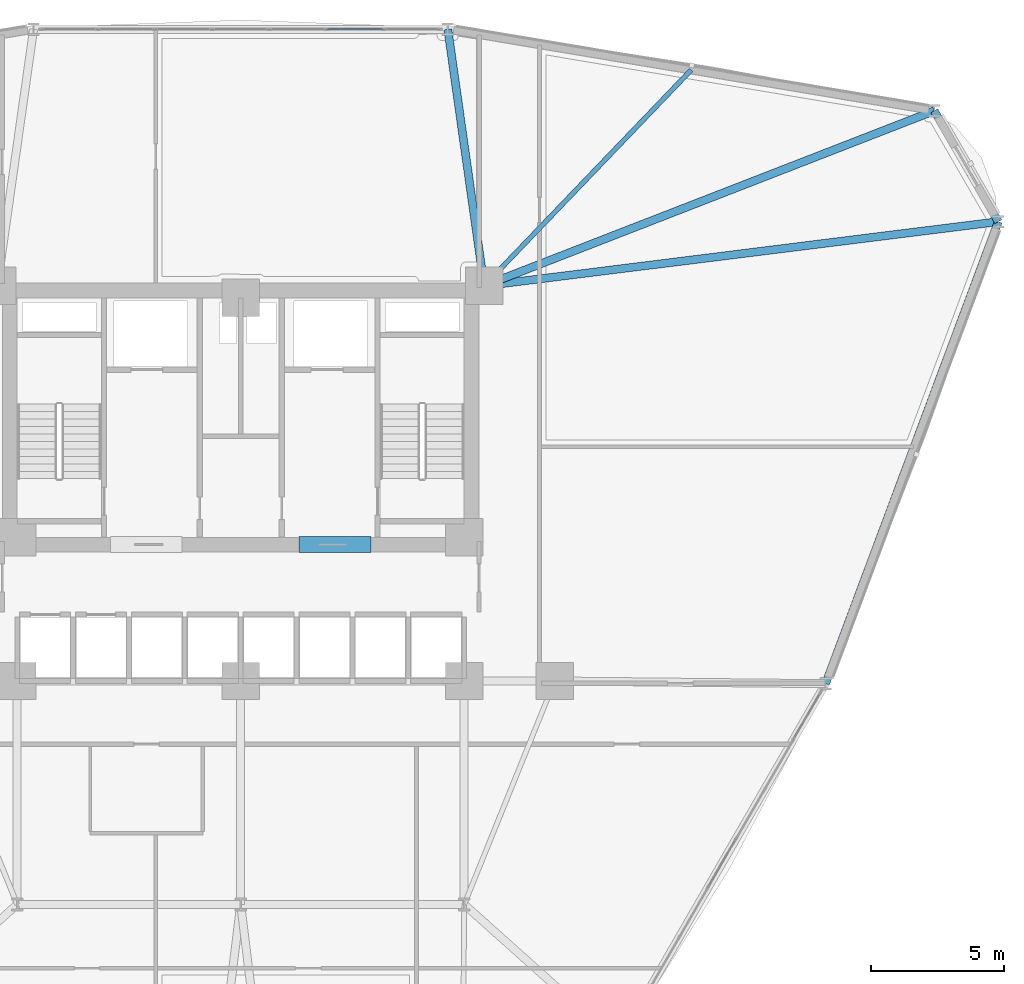
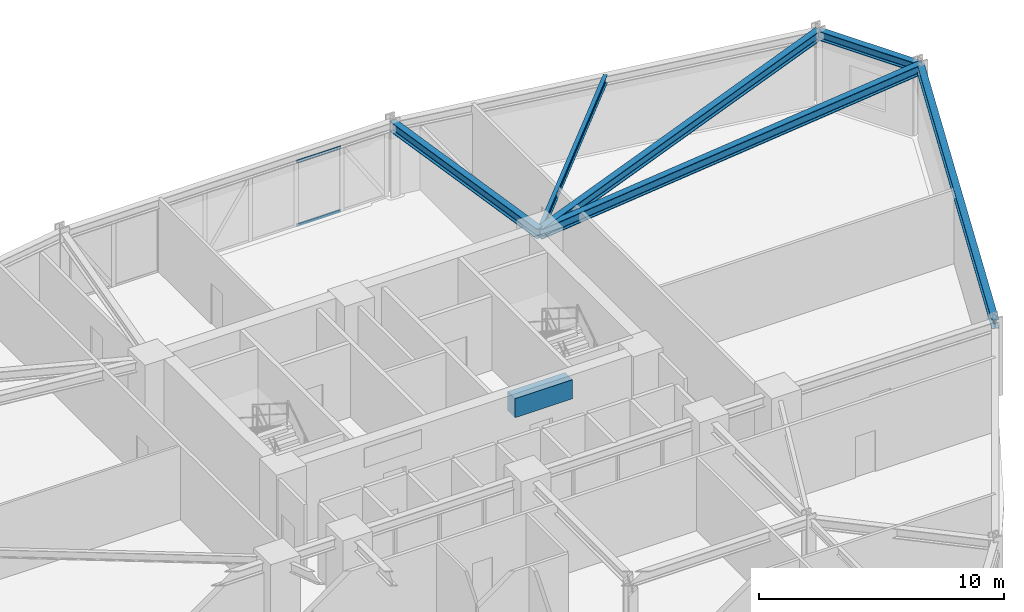
# One storey, part 13 of 22: 7 beams, 2 members, 1 element without a shape of its own.
"""IFC4 building model written with IfcOpenShell, lengths in metres."""

from ifc_helpers import new_model, si_unit, derived_unit, direction, frame, origin, origin_2d, place, context, subcontext, project, spatial, rectangle, hollow_rectangle, i_section, extrude, source, transform, mapped, material, layer, layer_set, material_profile, profile_set, type_object, element, aggregate, save


model = new_model("IFC4")

# Units and contexts
model_context = context("Model", 3, precision=1e-05, world=origin(), true_north=direction((0.0, 1.0)))
body_context = subcontext(model_context, "Body", "Model", "MODEL_VIEW")
ifc_project = project(units=[si_unit("LENGTHUNIT", "METRE"), si_unit("AREAUNIT", "SQUARE_METRE"), si_unit("VOLUMEUNIT", "CUBIC_METRE"), si_unit("PLANEANGLEUNIT", "RADIAN"), si_unit("MASSUNIT", "GRAM", prefix="KILO"), derived_unit("THERMALTRANSMITTANCEUNIT", [(si_unit("POWERUNIT", "WATT"), 1), (si_unit("LENGTHUNIT", "METRE"), -2), (si_unit("THERMODYNAMICTEMPERATUREUNIT", "KELVIN"), -1)])], contexts=[model_context])

# Site, building, storey
site_placement = place(None, origin())
site = spatial("IfcSite", under=ifc_project, at=site_placement, CompositionType="ELEMENT")
building_placement = place(site_placement, origin())
building = spatial("IfcBuilding", under=site, at=building_placement, Name="Korsvarv Bourse and Concert Hall", CompositionType="ELEMENT")
storey_placement = place(building_placement, frame((0.0, 0.0, 47.39990234375)))
storey = spatial("IfcBuildingStorey", under=building, at=storey_placement, Name="L11", CompositionType="ELEMENT", Elevation=47.39990234375)

# Beams
ifc_material_1 = material(Name="Concrete C55/67", Category="concrete")
ifc_material_profile_1 = material_profile(ifc_material_1, rectangle(XDim=0.60009765625, YDim=0.949951171875, at=origin_2d()), Name="RC-BM 600x950")
ifc_profile_set_1 = profile_set([ifc_material_profile_1], Name="Concrete C55/67")
beam_type_1 = type_object("IfcBeamType", Name="BM-CPL", PredefinedType="LINTEL", material=ifc_profile_set_1)
shared_shape_1 = source(origin(), body_context, "Body", "SweptSolid", [
    extrude(rectangle(XDim=0.60009765625, YDim=0.949951171875, at=origin_2d()), origin(), (0.0, 0.0, 1.0), 2.699951171875),
])
beam_1_placement = place(storey_placement, frame((38.199951171875, 37.52490234375, 3.205078125), z_axis=(1.0, 0.0, 0.0), x_axis=(0.0, 1.0, 0.0)))
element("IfcBeam", 1, at=beam_1_placement, inside=storey, type_object=beam_type_1, Name="L11 Core Coupling Beam East", PredefinedType="LINTEL", context=body_context, shape_type="MappedRepresentation", body=[
    mapped(shared_shape_1, transform((0.0, 0.0, 0.0), scale=1.0)),
])
ifc_material_2 = material(Name="Steel S355", Category="steel")
ifc_material_profile_2 = material_profile(ifc_material_2, i_section(OverallWidth=0.300048828125, OverallDepth=0.449951171875, WebThickness=0.013916015625, FlangeThickness=0.02587890625, FilletRadius=0.02099609375, at=origin_2d()), Name="HEB 450")
ifc_profile_set_2 = profile_set([ifc_material_profile_2], Name="Steel S355")
beam_type_2 = type_object("IfcBeamType", Name="BM-HEB450", PredefinedType="SPANDREL", material=ifc_profile_set_2)
shared_shape_2 = source(origin(), body_context, "Body", "SweptSolid", [
    extrude(i_section(OverallWidth=0.300048828125, OverallDepth=0.449951171875, WebThickness=0.013916015625, FlangeThickness=0.02587890625, FilletRadius=0.02099609375, at=origin_2d()), origin(), (0.0, 0.0, 1.0), 4.810791015625),
])
beam_2_placement = place(storey_placement, frame((64.474609375, 49.662353515625, 3.455078125), z_axis=(-0.500019702373, 0.866014028315, 0.0), x_axis=(-0.866014028315, -0.500019702373, 0.0)))
element("IfcBeam", 2, at=beam_2_placement, inside=storey, type_object=beam_type_2, Name="L11 beam B-08", PredefinedType="SPANDREL", context=body_context, shape_type="MappedRepresentation", body=[
    mapped(shared_shape_2, transform((0.0, 0.0, 0.0), scale=1.0)),
])
shared_shape_3 = source(origin(), body_context, "Body", "SweptSolid", [
    extrude(i_section(OverallWidth=0.300048828125, OverallDepth=0.449951171875, WebThickness=0.013916015625, FlangeThickness=0.02587890625, FilletRadius=0.02099609375, at=origin_2d()), origin(), (0.0, 0.0, 1.0), 18.538818359375),
])
beam_3_placement = place(storey_placement, frame((57.983154296875, 32.297119140625, 3.455078125), z_axis=(0.35015342957, 0.936692359188, 0.0), x_axis=(-0.936692359188, 0.35015342957, 0.0)))
element("IfcBeam", 3, at=beam_3_placement, inside=storey, type_object=beam_type_2, Name="L11 beam B-08", PredefinedType="SPANDREL", context=body_context, shape_type="MappedRepresentation", body=[
    mapped(shared_shape_3, transform((0.0, 0.0, 0.0), scale=1.0)),
])
ifc_material_profile_3 = material_profile(ifc_material_2, i_section(OverallWidth=0.300048828125, OverallDepth=0.5, WebThickness=0.014404296875, FlangeThickness=0.028076171875, FilletRadius=0.02392578125, at=origin_2d()), Name="HEB 500")
ifc_profile_set_3 = profile_set([ifc_material_profile_3], Name="Steel S355")
beam_type_3 = type_object("IfcBeamType", Name="BM-HEB500", PredefinedType="BEAM", material=ifc_profile_set_3)
shared_shape_4 = source(origin(), body_context, "Body", "SweptSolid", [
    extrude(i_section(OverallWidth=0.300048828125, OverallDepth=0.5, WebThickness=0.014404296875, FlangeThickness=0.028076171875, FilletRadius=0.02392578125, at=origin_2d()), origin(), (0.0, 0.0, 1.0), 19.474609375),
])
beam_4_placement = place(storey_placement, frame((64.474609375, 49.662353515625, 3.43017578125), z_axis=(-0.992298307048, -0.123871182403, 0.0), x_axis=(0.123871182403, -0.992298307048, 0.0)))
element("IfcBeam", 4, at=beam_4_placement, inside=storey, type_object=beam_type_3, Name="L11 beam B-07", PredefinedType="BEAM", context=body_context, shape_type="MappedRepresentation", body=[
    mapped(shared_shape_4, transform((0.0, 0.0, 0.0), scale=1.0)),
])
shared_shape_5 = source(origin(), body_context, "Body", "SweptSolid", [
    extrude(i_section(OverallWidth=0.300048828125, OverallDepth=0.5, WebThickness=0.014404296875, FlangeThickness=0.028076171875, FilletRadius=0.02392578125, at=origin_2d()), origin(), (0.0, 0.0, 1.0), 18.153076171875),
])
beam_5_placement = place(storey_placement, frame((62.069091796875, 53.82861328125, 3.43017578125), z_axis=(-0.932024609168, -0.362394988797, 0.0), x_axis=(0.362394988797, -0.932024609168, 0.0)))
element("IfcBeam", 5, at=beam_5_placement, inside=storey, type_object=beam_type_3, Name="L11 beam B-07", PredefinedType="BEAM", context=body_context, shape_type="MappedRepresentation", body=[
    mapped(shared_shape_5, transform((0.0, 0.0, 0.0), scale=1.0)),
])
shared_shape_6 = source(origin(), body_context, "Body", "SweptSolid", [
    extrude(i_section(OverallWidth=0.300048828125, OverallDepth=0.5, WebThickness=0.014404296875, FlangeThickness=0.028076171875, FilletRadius=0.02392578125, at=origin_2d()), origin(), (0.0, 0.0, 1.0), 9.735595703125),
])
beam_6_placement = place(storey_placement, frame((43.78466796875, 56.889404296875, 3.43017578125), z_axis=(0.140231095274, -0.990118800911, 0.0), x_axis=(0.990118800911, 0.140231095274, 0.0)))
element("IfcBeam", 6, at=beam_6_placement, inside=storey, type_object=beam_type_3, Name="L11 beam B-07", PredefinedType="BEAM", context=body_context, shape_type="MappedRepresentation", body=[
    mapped(shared_shape_6, transform((0.0, 0.0, 0.0), scale=1.0)),
])
ifc_material_profile_4 = material_profile(ifc_material_2, i_section(OverallWidth=0.179931640625, OverallDepth=0.39990234375, WebThickness=0.008544921875, FlangeThickness=0.013427734375, FilletRadius=0.02099609375, at=origin_2d()), Name="IPE 400")
ifc_profile_set_4 = profile_set([ifc_material_profile_4], Name="Steel S355")
beam_type_4 = type_object("IfcBeamType", Name="BM-IPE400", PredefinedType="JOIST", material=ifc_profile_set_4)
shared_shape_7 = source(origin(), body_context, "Body", "SweptSolid", [
    extrude(i_section(OverallWidth=0.179931640625, OverallDepth=0.39990234375, WebThickness=0.008544921875, FlangeThickness=0.013427734375, FilletRadius=0.02099609375, at=origin_2d()), origin(), (0.0, 0.0, 1.0), 11.235595703125),
])
beam_7_placement = place(storey_placement, frame((52.927001953125, 55.35888671875, 3.47998046875), z_axis=(-0.692187535913, -0.721717683812, 0.0), x_axis=(0.721717683812, -0.692187535913, 0.0)))
element("IfcBeam", 7, at=beam_7_placement, inside=storey, type_object=beam_type_4, Name="L11 beam J-05", PredefinedType="JOIST", context=body_context, shape_type="MappedRepresentation", body=[
    mapped(shared_shape_7, transform((0.0, 0.0, 0.0), scale=1.0)),
])

# Curtain wall, members
ifc_material_3 = material(Name="Anodised aluminium and triple low-E glazing", Category="glass")
ifc_layer = layer(ifc_material_3, 0.219970703125)
ifc_layer_set = layer_set([ifc_layer], Name="Anodised aluminium and triple low-E glazing")
curtain_wall_type = type_object("IfcCurtainWallType", Name="CW-SYS-1", PredefinedType="NOTDEFINED", material=ifc_layer_set)
curtain_wall_placement = place(storey_placement, origin())
curtain_wall = element("IfcCurtainWall", 8, at=curtain_wall_placement, inside=storey, type_object=curtain_wall_type, Name="L11 CW1 curtain wall CW-L11-F03", PredefinedType="NOTDEFINED")
ifc_material_4 = material(Name="Extruded aluminium EN AW-6063 T66", Category="aluminium")
ifc_material_profile_5 = material_profile(ifc_material_4, hollow_rectangle(XDim=0.06494140625, YDim=0.139892578125, WallThickness=0.00390625, at=origin_2d()), Name="ALU-T 65x140")
ifc_profile_set_5 = profile_set([ifc_material_profile_5], Name="Extruded aluminium EN AW-6063 T66")
member_type = type_object("IfcMemberType", Name="CWT-140", PredefinedType="USERDEFINED", material=ifc_profile_set_5)
shared_shape_8 = source(origin(), body_context, "Body", "SweptSolid", [
    extrude(hollow_rectangle(XDim=0.06494140625, YDim=0.139892578125, WallThickness=0.00390625, at=origin_2d()), origin(), (0.0, 0.0, 1.0), 2.079345703125),
])
member_1_placement = place(storey_placement, frame((41.33837890625, 56.889404296875, 0.03271484375), z_axis=(-1.0, 0.0, 0.0), x_axis=(0.0, -1.0, 0.0)))
member_1 = element("IfcMember", 9, at=member_1_placement, type_object=member_type, Name="CW1 transom 2.1", ObjectType="TRANSOM", PredefinedType="USERDEFINED", context=body_context, shape_type="MappedRepresentation", body=[
    mapped(shared_shape_8, transform((0.0, 0.0, 0.0), scale=1.0)),
])
member_2_placement = place(storey_placement, frame((41.33837890625, 56.889404296875, 3.197509765625), z_axis=(-1.0, 0.0, 0.0), x_axis=(0.0, -1.0, 0.0)))
member_2 = element("IfcMember", 10, at=member_2_placement, type_object=member_type, Name="CW1 transom 2.2", ObjectType="TRANSOM", PredefinedType="USERDEFINED", context=body_context, shape_type="MappedRepresentation", body=[
    mapped(shared_shape_8, transform((0.0, 0.0, 0.0), scale=1.0)),
])
aggregate(curtain_wall, [member_1, member_2])

save(model, "model.ifc")
